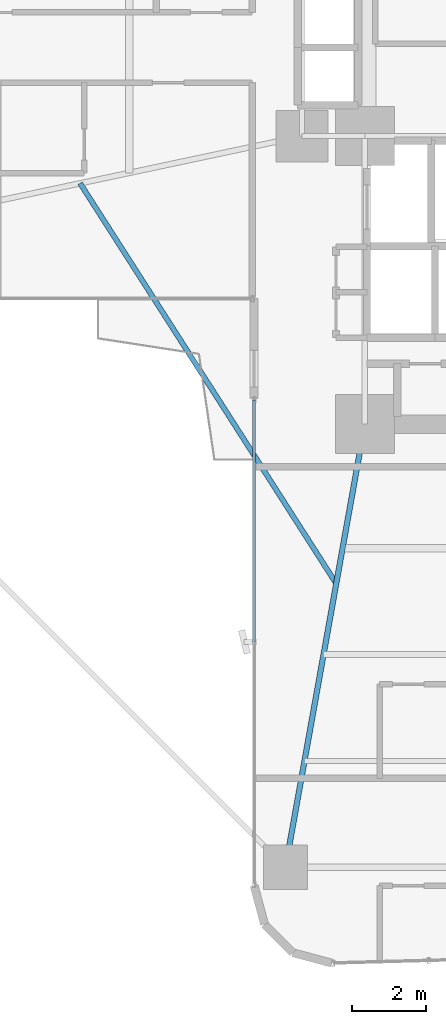
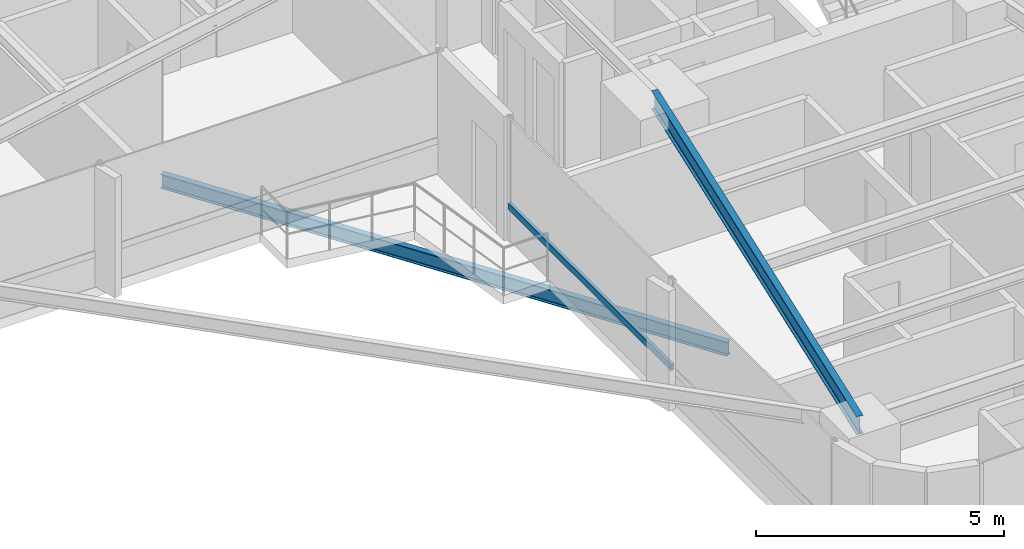
# One storey, part 3 of 26: 2 beams, 1 member, 1 element without a shape of its own.
"""IFC4 building model written with IfcOpenShell, lengths in metres."""

from ifc_helpers import new_model, si_unit, direction, frame, origin, origin_2d, place, context, subcontext, project, spatial, hollow_rectangle, i_section, extrude, source, transform, mapped, material, material_profile, profile_set, type_object, element, aggregate, save


model = new_model("IFC4")

# Units and contexts
model_context = context("Model", 3, precision=1e-05, world=origin(), true_north=direction((0.0, 1.0)))
body_context = subcontext(model_context, "Body", "Model", "MODEL_VIEW")
ifc_project = project(units=[si_unit("LENGTHUNIT", "METRE"), si_unit("AREAUNIT", "SQUARE_METRE"), si_unit("VOLUMEUNIT", "CUBIC_METRE"), si_unit("PLANEANGLEUNIT", "RADIAN"), si_unit("MASSUNIT", "GRAM", prefix="KILO")], contexts=[model_context])

# Site, building, storey
site_placement = place(None, origin())
site = spatial("IfcSite", under=ifc_project, at=site_placement, CompositionType="ELEMENT")
building_placement = place(site_placement, origin())
building = spatial("IfcBuilding", under=site, at=building_placement, Name="Sahyath Konkavel Grand Hotel", CompositionType="ELEMENT")
storey_placement = place(building_placement, frame((0.0, 0.0, 43.199951171875)))
storey = spatial("IfcBuildingStorey", under=building, at=storey_placement, Name="L11", CompositionType="ELEMENT", Elevation=43.199951171875)

# Beam
ifc_material_1 = material(Name="Steel E350", Category="steel")
ifc_material_profile_1 = material_profile(ifc_material_1, i_section(OverallWidth=0.14990234375, OverallDepth=0.449951171875, WebThickness=0.009521484375, FlangeThickness=0.017333984375, FilletRadius=0.014892578125, at=origin_2d()), Name="ISMB 450")
ifc_profile_set_1 = profile_set([ifc_material_profile_1], Name="Steel E350")
beam_type_1 = type_object("IfcBeamType", Name="BM-ISMB450", PredefinedType="BEAM", material=ifc_profile_set_1)
shared_shape_1 = source(origin(), body_context, "Body", "SweptSolid", [
    extrude(i_section(OverallWidth=0.14990234375, OverallDepth=0.449951171875, WebThickness=0.009521484375, FlangeThickness=0.017333984375, FilletRadius=0.014892578125, at=origin_2d()), origin(), (0.0, 0.0, 1.0), 12.191162109375),
])
beam_1_placement = place(storey_placement, frame((-3.800048828125, -10.199951171875, 2.824951171875), z_axis=(-0.176350650305, -0.984327409014, 0.0), x_axis=(0.984327409014, -0.176350650305, 0.0)))
element("IfcBeam", 1, at=beam_1_placement, inside=storey, type_object=beam_type_1, Name="L11 Cruciform Radial Girder SA", PredefinedType="BEAM", context=body_context, shape_type="MappedRepresentation", body=[
    mapped(shared_shape_1, transform((0.0, 0.0, 0.0), scale=1.0)),
])

# Curtain wall, member
ifc_material_2 = material(Name="Anodised Bronze Aluminium & Low-E Glazing", Category="aluminium")
curtain_wall_type = type_object("IfcCurtainWallType", Name="CW-ZONE1", PredefinedType="NOTDEFINED", material=ifc_material_2)
curtain_wall_placement = place(storey_placement, origin())
curtain_wall = element("IfcCurtainWall", 2, at=curtain_wall_placement, inside=storey, type_object=curtain_wall_type, Name="L11 Unitised Curtain Wall F24", PredefinedType="NOTDEFINED")
ifc_material_3 = material(Name="Anodised Bronze Aluminium", Category="aluminium")
ifc_material_profile_2 = material_profile(ifc_material_3, hollow_rectangle(XDim=0.080078125, YDim=0.159912109375, WallThickness=0.006103515625, at=origin_2d()), Name="RHS 160x80x6")
ifc_profile_set_2 = profile_set([ifc_material_profile_2], Name="Anodised Bronze Aluminium")
member_type = type_object("IfcMemberType", Name="CW-TRN-160", PredefinedType="USERDEFINED", material=ifc_profile_set_2)
shared_shape_2 = source(origin(), body_context, "Body", "SweptSolid", [
    extrude(hollow_rectangle(XDim=0.080078125, YDim=0.159912109375, WallThickness=0.006103515625, at=origin_2d()), origin(), (0.0, 0.0, 1.0), 6.56005859375),
])
member_placement = place(storey_placement, frame((-6.800048828125, -9.5400390625, 0.85009765625), z_axis=(0.0, -1.0, 0.0), x_axis=(1.0, 0.0, 0.0)))
member = element("IfcMember", 3, at=member_placement, type_object=member_type, Name="L11 Curtain Wall Transom F24-0-spandrel", ObjectType="TRANSOM", PredefinedType="USERDEFINED", context=body_context, shape_type="MappedRepresentation", body=[
    mapped(shared_shape_2, transform((0.0, 0.0, 0.0), scale=1.0)),
])
aggregate(curtain_wall, [member])

# Beam
ifc_material_profile_3 = material_profile(ifc_material_1, i_section(OverallWidth=0.139892578125, OverallDepth=0.35009765625, WebThickness=0.008056640625, FlangeThickness=0.01416015625, FilletRadius=0.013916015625, at=origin_2d()), Name="ISMB 350")
ifc_profile_set_3 = profile_set([ifc_material_profile_3], Name="Steel E350")
beam_type_2 = type_object("IfcBeamType", Name="BM-BALC-CANT", PredefinedType="BEAM", material=ifc_profile_set_3)
shared_shape_3 = source(origin(), body_context, "Body", "SweptSolid", [
    extrude(i_section(OverallWidth=0.139892578125, OverallDepth=0.35009765625, WebThickness=0.008056640625, FlangeThickness=0.01416015625, FilletRadius=0.013916015625, at=origin_2d()), origin(), (0.0, 0.0, 1.0), 12.871826171875),
])
beam_2_placement = place(storey_placement, frame((-11.511962890625, -3.677978515625, -0.4150390625), z_axis=(0.539003102535, -0.842303778608, 0.0), x_axis=(0.842303778608, 0.539003102535, 0.0)))
element("IfcBeam", 4, at=beam_2_placement, inside=storey, type_object=beam_type_2, Name="L11 Balcony Cantilever Support Beam SW", PredefinedType="BEAM", context=body_context, shape_type="MappedRepresentation", body=[
    mapped(shared_shape_3, transform((0.0, 0.0, 0.0), scale=1.0)),
])

save(model, "model.ifc")
